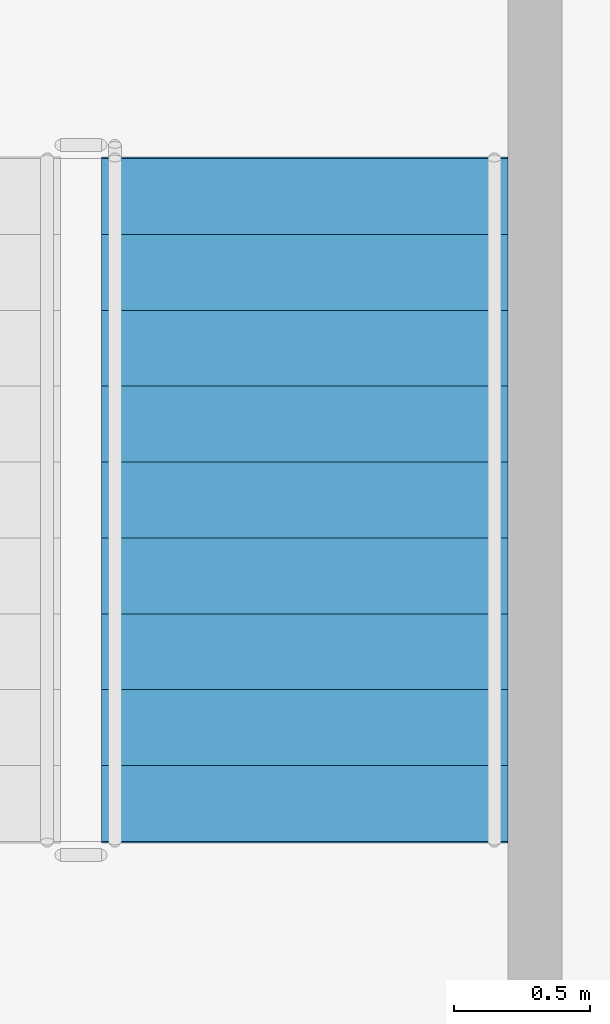
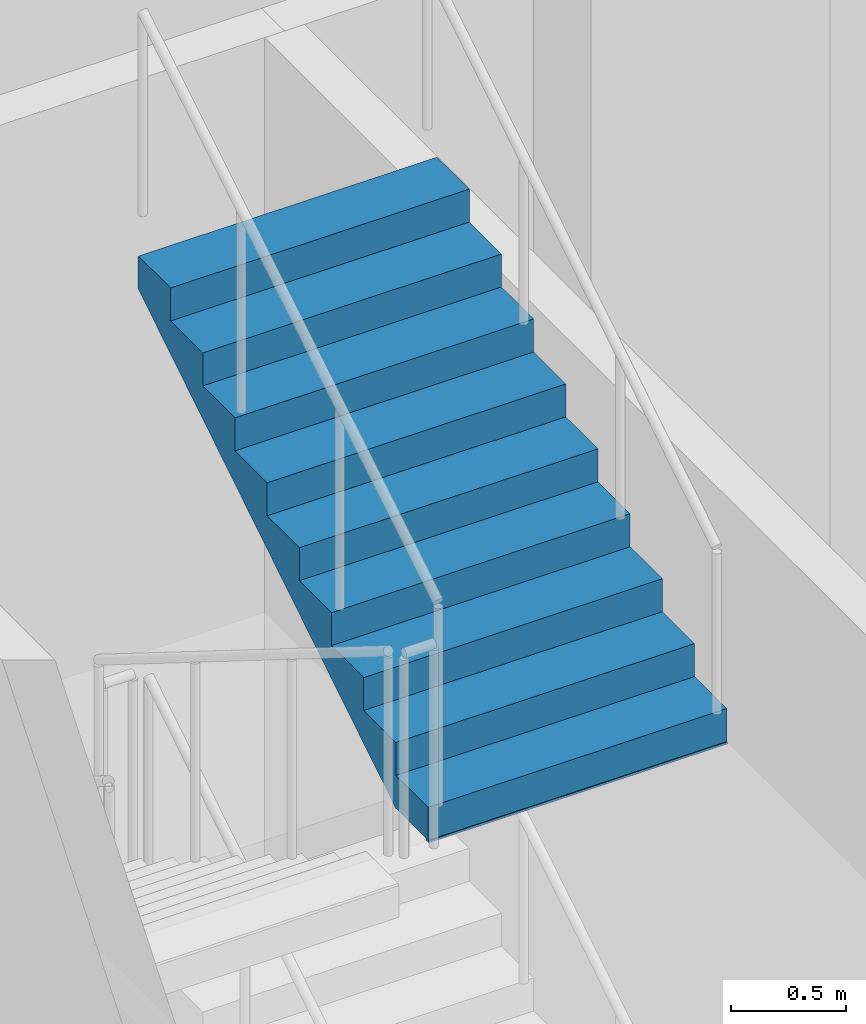
# One storey, part 19 of 23: 1 stair flight, 1 element without a shape of its own.
"""IFC4 building model written with IfcOpenShell, lengths in metres."""

from ifc_helpers import new_model, si_unit, direction, frame, origin, place, context, subcontext, project, spatial, polyline, outline, extrude, material, type_object, element, aggregate, save


model = new_model("IFC4")

# Units and contexts
model_context = context("Model", 3, precision=1e-05, world=origin(), true_north=direction((0.0, 1.0)))
body_context = subcontext(model_context, "Body", "Model", "MODEL_VIEW")
ifc_project = project(units=[si_unit("LENGTHUNIT", "METRE"), si_unit("AREAUNIT", "SQUARE_METRE"), si_unit("VOLUMEUNIT", "CUBIC_METRE"), si_unit("PLANEANGLEUNIT", "RADIAN"), si_unit("MASSUNIT", "GRAM", prefix="KILO")], contexts=[model_context])

# Site, building, storey
site_placement = place(None, origin())
site = spatial("IfcSite", under=ifc_project, at=site_placement, CompositionType="ELEMENT")
building_placement = place(site_placement, origin())
building = spatial("IfcBuilding", under=site, at=building_placement, Name="Plateau Cross Towers", CompositionType="ELEMENT")
storey_placement = place(building_placement, frame((0.0, 0.0, -7.0)))
storey = spatial("IfcBuildingStorey", under=building, at=storey_placement, Name="B1", CompositionType="ELEMENT", Elevation=-7.0)

# Stair, stair flight
ifc_material = material(Name="Concrete C40/50", Category="concrete")
stair_type = type_object("IfcStairType", Name="Station exit stair 1500", PredefinedType="HALF_TURN_STAIR", material=ifc_material)
stair_placement = place(storey_placement, origin())
stair = element("IfcStair", 1, at=stair_placement, inside=storey, type_object=stair_type, Name="B1 Exit Stair 6", PredefinedType="HALF_TURN_STAIR")
stair_flight_type = type_object("IfcStairFlightType", Name="Station stair flight 1500", PredefinedType="STRAIGHT", material=ifc_material)
stair_flight_placement = place(storey_placement, frame((103.800048828125, 31.8798828125, 5.25), z_axis=(0.0, 0.0, 1.0), x_axis=(0.0, 1.0, 0.0)))
stair_flight = element("IfcStairFlight", 2, at=stair_flight_placement, type_object=stair_flight_type, Name="PB6 flight 4", NumberOfRisers=10, NumberOfTreads=9, PredefinedType="STRAIGHT", RiserHeight=0.175, TreadLength=0.28, context=body_context, shape_type="SweptSolid", body=[
    extrude(outline(polyline([(-0.0048828125, -0.010009765625), (-0.0048828125, 0.0), (0.0, 0.0), (0.0, 0.175048828125), (0.280029296875, 0.175048828125), (0.280029296875, 0.35009765625), (0.56005859375, 0.35009765625), (0.56005859375, 0.52490234375), (0.840087890625, 0.52490234375), (0.840087890625, 0.699951171875), (1.1201171875, 0.699951171875), (1.1201171875, 0.875), (1.39990234375, 0.875), (1.39990234375, 1.050048828125), (1.679931640625, 1.050048828125), (1.679931640625, 1.22509765625), (1.9599609375, 1.22509765625), (1.9599609375, 1.39990234375), (2.239990234375, 1.39990234375), (2.239990234375, 1.574951171875), (2.52001953125, 1.574951171875), (2.52490234375, 1.56494140625), (2.52490234375, 1.398193359375), (2.52001953125, 1.398193359375), (0.28271484375, 0.0), (0.02001953125, 0.0), (0.02001953125, -0.010009765625), (-0.0048828125, -0.010009765625)])), frame((0.0, 0.75, 0.0), z_axis=(0.0, -1.0, 0.0), x_axis=(1.0, 0.0, 0.0)), (0.0, 0.0, 1.0), 1.5),
])
aggregate(stair, [stair_flight])

save(model, "model.ifc")
